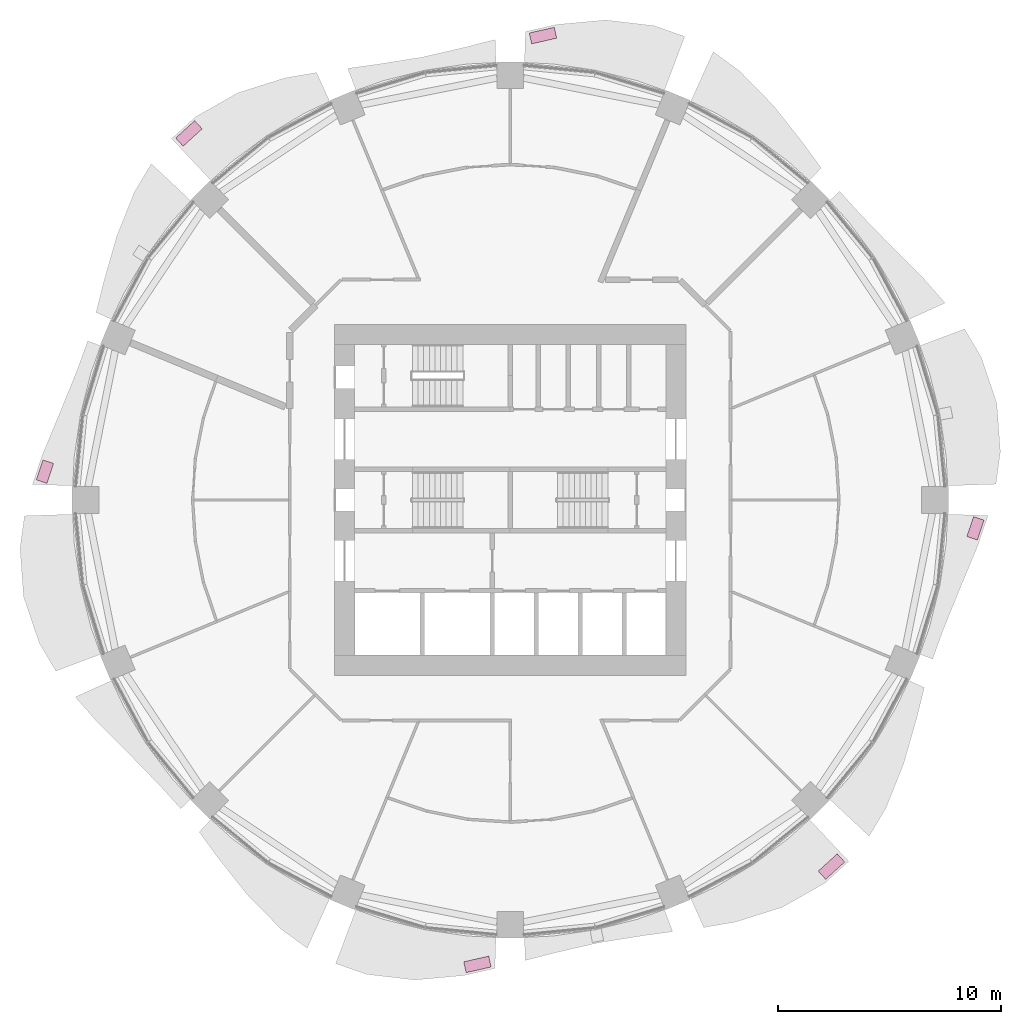
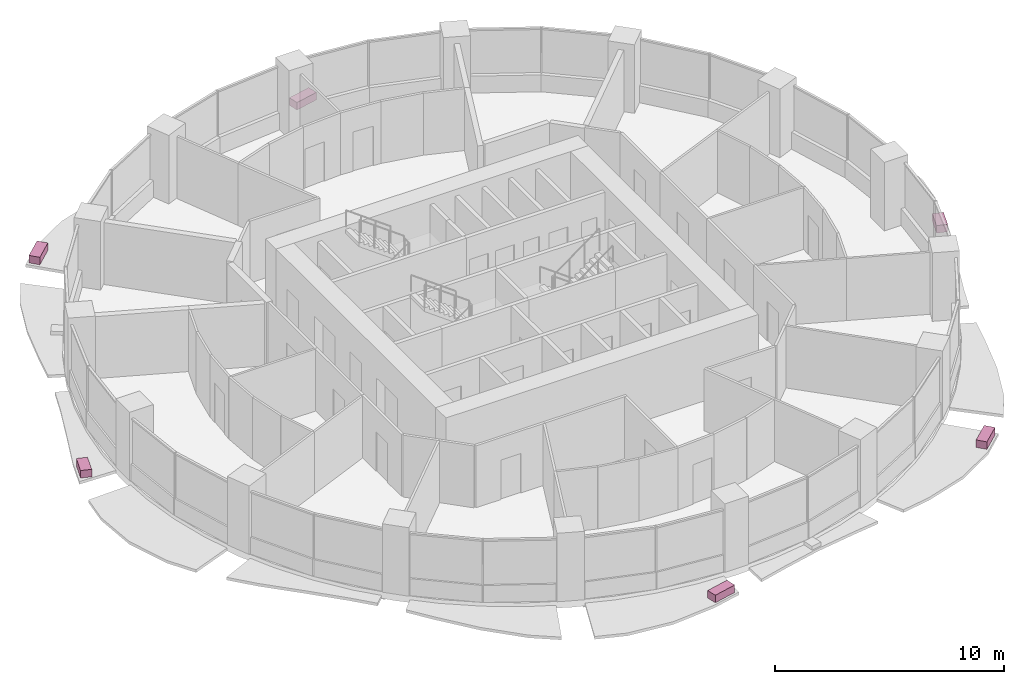
# One storey, part 15 of 15: 6 furniture elements.
"""IFC4 building model written with IfcOpenShell, lengths in metres."""

from ifc_helpers import new_model, si_unit, direction, frame, origin, origin_2d, place, context, subcontext, project, spatial, rectangle, extrude, material, type_object, element, save


model = new_model("IFC4")

# Units and contexts
model_context = context("Model", 3, precision=1e-05, world=origin(), true_north=direction((0.0, 1.0)))
body_context = subcontext(model_context, "Body", "Model", "MODEL_VIEW")
ifc_project = project(units=[si_unit("LENGTHUNIT", "METRE"), si_unit("AREAUNIT", "SQUARE_METRE"), si_unit("VOLUMEUNIT", "CUBIC_METRE"), si_unit("PLANEANGLEUNIT", "RADIAN"), si_unit("MASSUNIT", "GRAM", prefix="KILO")], contexts=[model_context])

# Site, building, storey
site_placement = place(None, origin())
site = spatial("IfcSite", under=ifc_project, at=site_placement, CompositionType="ELEMENT")
building_placement = place(site_placement, origin())
building = spatial("IfcBuilding", under=site, at=building_placement, Name="Polderwave Tower", CompositionType="ELEMENT")
storey_placement = place(building_placement, frame((0.0, 0.0, 51.75)))
storey = spatial("IfcBuildingStorey", under=building, at=storey_placement, Name="L13", CompositionType="ELEMENT", Elevation=51.75)

# Furniture
ifc_material = material(Name="Terracotta", Category="masonry")
furniture_type = type_object("IfcFurnitureType", Name="Terracotta planting trough", AssemblyPlace="NOTDEFINED", PredefinedType="USERDEFINED", material=ifc_material)
furniture_1_placement = place(storey_placement, frame((1.46826171875, 20.806884765625, -0.199951171875), z_axis=(0.0, 0.0, 1.0), x_axis=(-0.975355415241, -0.220639556655, 0.0)))
element("IfcFurniture", 1, at=furniture_1_placement, inside=storey, type_object=furniture_type, Name="Planting trough L13 4", ObjectType="PLANTER", PredefinedType="USERDEFINED", context=body_context, shape_type="SweptSolid", body=[
    extrude(rectangle(XDim=1.151123046875, YDim=0.5, at=origin_2d()), origin(), (0.0, 0.0, 1.0), 0.39990234375),
])
furniture_2_placement = place(storey_placement, frame((-14.395263671875, 16.422119140625, -0.199951171875), z_axis=(0.0, 0.0, 1.0), x_axis=(-0.739600553878, -0.673046076211, 0.0)))
element("IfcFurniture", 2, at=furniture_2_placement, inside=storey, type_object=furniture_type, Name="Planting trough L13 6", ObjectType="PLANTER", PredefinedType="USERDEFINED", context=body_context, shape_type="SweptSolid", body=[
    extrude(rectangle(XDim=1.156982421875, YDim=0.5, at=origin_2d()), origin(), (0.0, 0.0, 1.0), 0.39990234375),
])
furniture_3_placement = place(storey_placement, frame((-20.845703125, 1.268310546875, -0.199951171875), z_axis=(0.0, 0.0, 1.0), x_axis=(-0.319258697773, -0.947667602008, 0.0)))
element("IfcFurniture", 3, at=furniture_3_placement, inside=storey, type_object=furniture_type, Name="Planting trough L13 8", ObjectType="PLANTER", PredefinedType="USERDEFINED", context=body_context, shape_type="SweptSolid", body=[
    extrude(rectangle(XDim=0.941650390625, YDim=0.5, at=origin_2d()), origin(), (0.0, 0.0, 1.0), 0.39990234375),
])
furniture_4_placement = place(storey_placement, frame((-1.46826171875, -20.806884765625, -0.199951171875), z_axis=(0.0, 0.0, 1.0), x_axis=(0.975355415241, 0.220639556655, 0.0)))
element("IfcFurniture", 4, at=furniture_4_placement, inside=storey, type_object=furniture_type, Name="Planting trough L13 12", ObjectType="PLANTER", PredefinedType="USERDEFINED", context=body_context, shape_type="SweptSolid", body=[
    extrude(rectangle(XDim=1.151123046875, YDim=0.5, at=origin_2d()), origin(), (0.0, 0.0, 1.0), 0.39990234375),
])
furniture_5_placement = place(storey_placement, frame((14.395263671875, -16.422119140625, -0.199951171875), z_axis=(0.0, 0.0, 1.0), x_axis=(0.739600553878, 0.673046076211, 0.0)))
element("IfcFurniture", 5, at=furniture_5_placement, inside=storey, type_object=furniture_type, Name="Planting trough L13 14", ObjectType="PLANTER", PredefinedType="USERDEFINED", context=body_context, shape_type="SweptSolid", body=[
    extrude(rectangle(XDim=1.156982421875, YDim=0.5, at=origin_2d()), origin(), (0.0, 0.0, 1.0), 0.39990234375),
])
furniture_6_placement = place(storey_placement, frame((20.845703125, -1.268310546875, -0.199951171875), z_axis=(0.0, 0.0, 1.0), x_axis=(0.319258697773, 0.947667602008, 0.0)))
element("IfcFurniture", 6, at=furniture_6_placement, inside=storey, type_object=furniture_type, Name="Planting trough L13 16", ObjectType="PLANTER", PredefinedType="USERDEFINED", context=body_context, shape_type="SweptSolid", body=[
    extrude(rectangle(XDim=0.941650390625, YDim=0.5, at=origin_2d()), origin(), (0.0, 0.0, 1.0), 0.39990234375),
])

save(model, "model.ifc")
